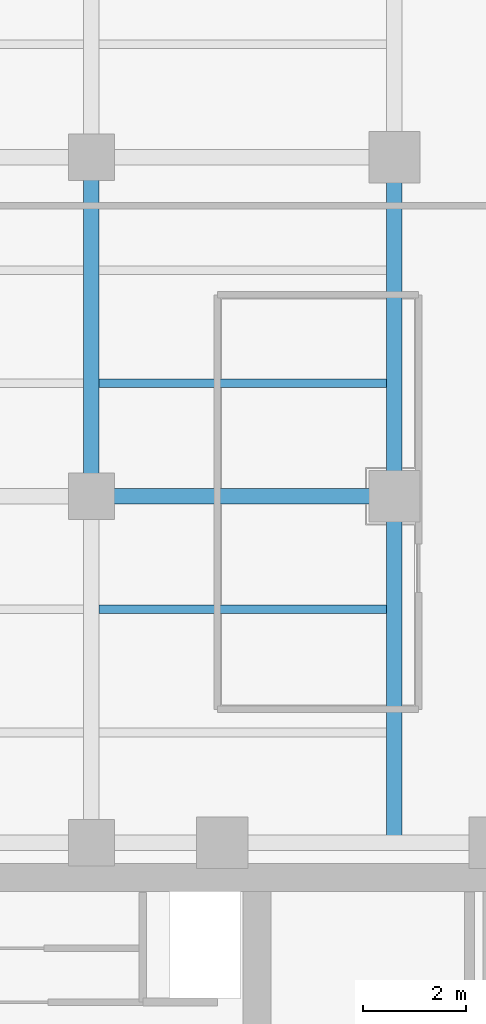
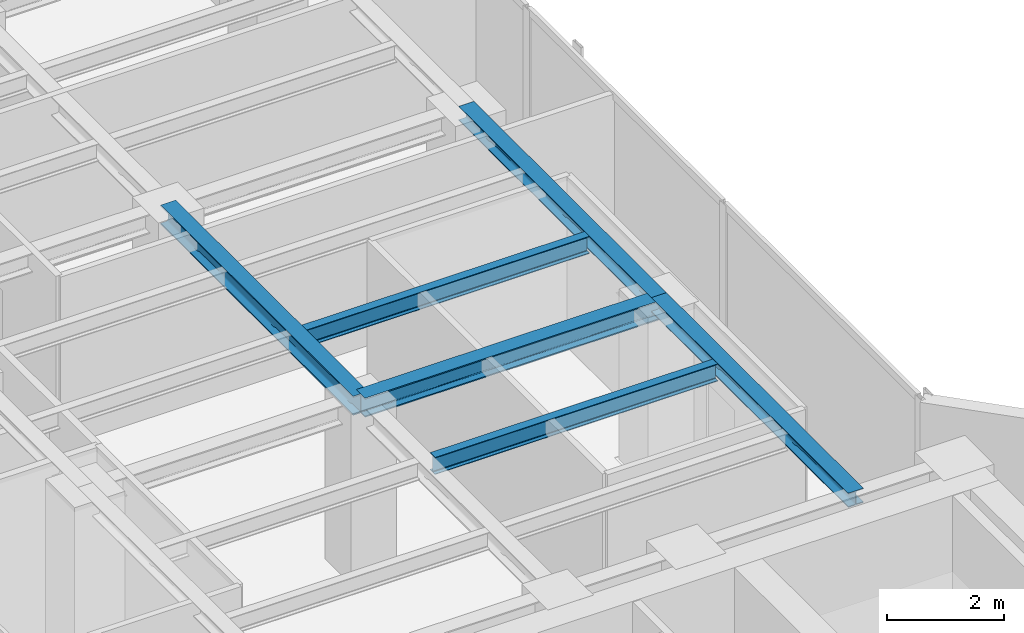
# One storey, part 8 of 23: 6 beams.
"""IFC4 building model written with IfcOpenShell, lengths in metres."""

from ifc_helpers import new_model, si_unit, direction, frame, origin, origin_2d, place, context, subcontext, project, spatial, i_section, extrude, material, material_profile, profile_set, type_object, element, save


model = new_model("IFC4")

# Units and contexts
model_context = context("Model", 3, precision=1e-05, world=origin(), true_north=direction((0.0, 1.0)))
body_context = subcontext(model_context, "Body", "Model", "MODEL_VIEW")
ifc_project = project(units=[si_unit("LENGTHUNIT", "METRE"), si_unit("AREAUNIT", "SQUARE_METRE"), si_unit("VOLUMEUNIT", "CUBIC_METRE"), si_unit("PLANEANGLEUNIT", "RADIAN"), si_unit("MASSUNIT", "GRAM", prefix="KILO")], contexts=[model_context])

# Site, building, storey
site_placement = place(None, origin())
site = spatial("IfcSite", under=ifc_project, at=site_placement, CompositionType="ELEMENT")
building_placement = place(site_placement, origin())
building = spatial("IfcBuilding", under=site, at=building_placement, Name="Kolvaren Waterfront Exchange", CompositionType="ELEMENT")
storey_placement = place(building_placement, frame((0.0, 0.0, 212.10009765625)))
storey = spatial("IfcBuildingStorey", under=building, at=storey_placement, Name="L54", CompositionType="ELEMENT", Elevation=212.10009765625)

# Beams
ifc_material = material(Name="Steel S355", Category="steel")
ifc_material_profile_1 = material_profile(ifc_material, i_section(OverallWidth=0.300048828125, OverallDepth=0.300048828125, WebThickness=0.010986328125, FlangeThickness=0.01904296875, FilletRadius=0.027099609375, at=origin_2d()), Name="HEB300")
ifc_profile_set_1 = profile_set([ifc_material_profile_1], Name="Steel S355")
beam_type_1 = type_object("IfcBeamType", Name="STR-BM-HEB300", PredefinedType="SPANDREL", material=ifc_profile_set_1)
beam_1_placement = place(storey_placement, frame((18.800048828125, 24.449951171875, 3.409912109375), z_axis=(0.0, 1.0, 0.0), x_axis=(-1.0, 0.0, 0.0)))
element("IfcBeam", 1, at=beam_1_placement, inside=storey, type_object=beam_type_1, Name="L54 north-arm edge beam 1", PredefinedType="SPANDREL", context=body_context, shape_type="SweptSolid", body=[
    extrude(i_section(OverallWidth=0.300048828125, OverallDepth=0.300048828125, WebThickness=0.010986328125, FlangeThickness=0.01904296875, FilletRadius=0.027099609375, at=origin_2d()), origin(), (0.0, 0.0, 1.0), 6.75),
])
beam_2_placement = place(storey_placement, frame((18.800048828125, 31.199951171875, 3.409912109375), z_axis=(0.0, 1.0, 0.0), x_axis=(-1.0, 0.0, 0.0)))
element("IfcBeam", 2, at=beam_2_placement, inside=storey, type_object=beam_type_1, Name="L54 north-arm edge beam 2", PredefinedType="SPANDREL", context=body_context, shape_type="SweptSolid", body=[
    extrude(i_section(OverallWidth=0.300048828125, OverallDepth=0.300048828125, WebThickness=0.010986328125, FlangeThickness=0.01904296875, FilletRadius=0.027099609375, at=origin_2d()), origin(), (0.0, 0.0, 1.0), 6.60009765625),
])
ifc_material_profile_2 = material_profile(ifc_material, i_section(OverallWidth=0.300048828125, OverallDepth=0.39990234375, WebThickness=0.013427734375, FlangeThickness=0.02392578125, FilletRadius=0.027099609375, at=origin_2d()), Name="HEB400")
ifc_profile_set_2 = profile_set([ifc_material_profile_2], Name="Steel S355")
beam_type_2 = type_object("IfcBeamType", Name="STR-BM-HEB400", PredefinedType="BEAM", material=ifc_profile_set_2)
beam_3_placement = place(storey_placement, frame((12.89990234375, 31.199951171875, 3.35986328125), z_axis=(1.0, 0.0, 0.0), x_axis=(0.0, 1.0, 0.0)))
element("IfcBeam", 3, at=beam_3_placement, inside=storey, type_object=beam_type_2, Name="L54 north-arm girder 2B", PredefinedType="BEAM", context=body_context, shape_type="SweptSolid", body=[
    extrude(i_section(OverallWidth=0.300048828125, OverallDepth=0.39990234375, WebThickness=0.013427734375, FlangeThickness=0.02392578125, FilletRadius=0.027099609375, at=origin_2d()), origin(), (0.0, 0.0, 1.0), 5.900146484375),
])
beam_4_placement = place(storey_placement, frame((12.89990234375, 31.199951171875, 3.35986328125), z_axis=(0.0, 1.0, 0.0), x_axis=(-1.0, 0.0, 0.0)))
element("IfcBeam", 4, at=beam_4_placement, inside=storey, type_object=beam_type_2, Name="L54 north-arm edge beam 2", PredefinedType="BEAM", context=body_context, shape_type="SweptSolid", body=[
    extrude(i_section(OverallWidth=0.300048828125, OverallDepth=0.39990234375, WebThickness=0.013427734375, FlangeThickness=0.02392578125, FilletRadius=0.027099609375, at=origin_2d()), origin(), (0.0, 0.0, 1.0), 6.60009765625),
])
ifc_material_profile_3 = material_profile(ifc_material, i_section(OverallWidth=0.169921875, OverallDepth=0.360107421875, WebThickness=0.008056640625, FlangeThickness=0.0126953125, FilletRadius=0.01806640625, at=origin_2d()), Name="IPE360")
ifc_profile_set_3 = profile_set([ifc_material_profile_3], Name="Steel S355")
beam_type_3 = type_object("IfcBeamType", Name="STR-BM-IPE360", PredefinedType="JOIST", material=ifc_profile_set_3)
for number, where, z_axis, x_axis, name in (
    (5, (13.052001953125, 29.0, 3.3798828125), (1.0, 0.0, 0.0), (0.0, 1.0, 0.0), "L54 north-arm composite joist 2B"),
    (6, (13.052001953125, 33.39990234375, 3.3798828125), (1.0, 0.0, 0.0), (0.0, 1.0, 0.0), "L54 north-arm composite joist 3B"),
):
    element("IfcBeam", number, at=place(storey_placement, frame(where, z_axis=z_axis, x_axis=x_axis)), inside=storey, type_object=beam_type_3, Name=name, PredefinedType="JOIST", context=body_context, shape_type="SweptSolid", body=[
        extrude(i_section(OverallWidth=0.169921875, OverallDepth=0.360107421875, WebThickness=0.008056640625, FlangeThickness=0.0126953125, FilletRadius=0.01806640625, at=origin_2d()), origin(), (0.0, 0.0, 1.0), 5.595947265625),
    ])

save(model, "model.ifc")
